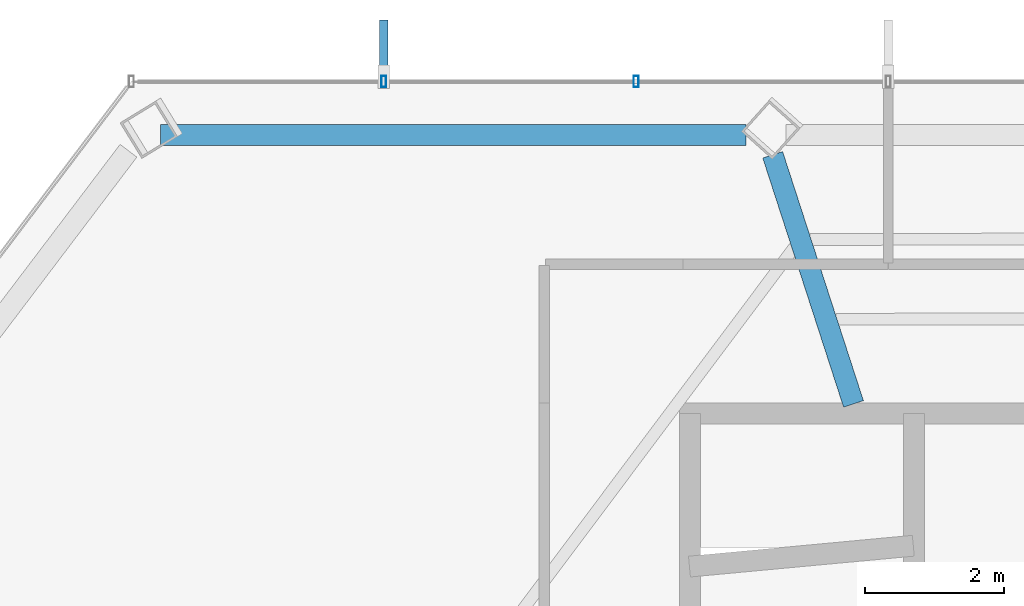
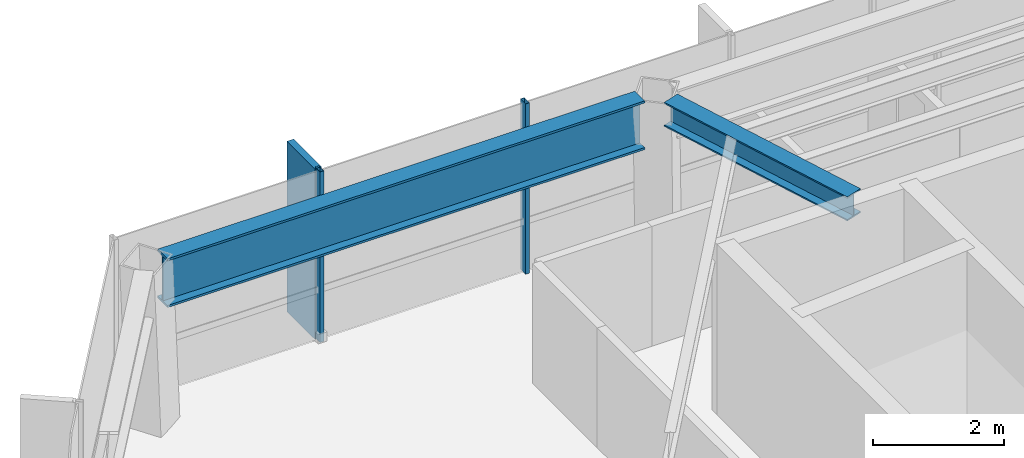
# One storey, part 13 of 27: 3 members, 2 beams, 1 element without a shape of its own.
"""IFC4 building model written with IfcOpenShell, lengths in metres."""

from ifc_helpers import new_model, si_unit, direction, frame, origin, origin_2d, place, context, subcontext, project, spatial, rectangle, hollow_rectangle, i_section, extrude, material, layer, layer_set, material_profile, profile_set, type_object, element, aggregate, save


model = new_model("IFC4")

# Units and contexts
model_context = context("Model", 3, precision=1e-05, world=origin(), true_north=direction((0.0, 1.0)))
body_context = subcontext(model_context, "Body", "Model", "MODEL_VIEW")
ifc_project = project(units=[si_unit("LENGTHUNIT", "METRE"), si_unit("AREAUNIT", "SQUARE_METRE"), si_unit("VOLUMEUNIT", "CUBIC_METRE"), si_unit("PLANEANGLEUNIT", "RADIAN"), si_unit("MASSUNIT", "GRAM", prefix="KILO")], contexts=[model_context])

# Site, building, storey
site_placement = place(None, origin())
site = spatial("IfcSite", under=ifc_project, at=site_placement, CompositionType="ELEMENT")
building_placement = place(site_placement, origin())
building = spatial("IfcBuilding", under=site, at=building_placement, Name="Zarrinselat Tower", CompositionType="ELEMENT")
storey_placement = place(building_placement, frame((0.0, 0.0, 235.9599609375)))
storey = spatial("IfcBuildingStorey", under=building, at=storey_placement, Name="L59", CompositionType="ELEMENT", Elevation=235.9599609375)

# Beams
ifc_material_1 = material(Name="Steel S355J2", Category="steel")
ifc_material_profile_1 = material_profile(ifc_material_1, i_section(OverallWidth=0.300048828125, OverallDepth=0.449951171875, WebThickness=0.013916015625, FlangeThickness=0.02587890625, at=origin_2d()), Name="HEB 450")
ifc_profile_set_1 = profile_set([ifc_material_profile_1], Name="Steel S355J2")
beam_type_1 = type_object("IfcBeamType", Name="BM-HEB450", PredefinedType="BEAM", material=ifc_profile_set_1)
beam_1_placement = place(storey_placement, frame((29.83740234375, 47.123779296875, 2.955078125), z_axis=(0.308577591776, -0.951199174649, 0.0), x_axis=(0.951199174649, 0.308577591776, 0.0)))
element("IfcBeam", 1, at=beam_1_placement, inside=storey, type_object=beam_type_1, Name="L59 Radial Primary Girder RG04", PredefinedType="BEAM", context=body_context, shape_type="SweptSolid", body=[
    extrude(i_section(OverallWidth=0.300048828125, OverallDepth=0.449951171875, WebThickness=0.013916015625, FlangeThickness=0.02587890625, at=origin_2d()), origin(), (0.0, 0.0, 1.0), 3.767578125),
])
ifc_material_2 = material(Name="Steel S460M", Category="steel")
ifc_material_profile_2 = material_profile(ifc_material_2, i_section(OverallWidth=0.302001953125, OverallDepth=0.909912109375, WebThickness=0.02099609375, FlangeThickness=0.0400390625, at=origin_2d()), Name="HEM 900")
ifc_profile_set_2 = profile_set([ifc_material_profile_2], Name="Steel S460M")
beam_type_2 = type_object("IfcBeamType", Name="BM-HEM900", PredefinedType="BEAM", material=ifc_profile_set_2)
beam_2_placement = place(storey_placement, frame((21.031982421875, 47.4111328125, 2.72509765625), z_axis=(1.0, 0.0, 0.0), x_axis=(0.0, 1.0, 0.0)))
element("IfcBeam", 2, at=beam_2_placement, inside=storey, type_object=beam_type_2, Name="L59 Perimeter Spandrel Girder SP04", PredefinedType="BEAM", context=body_context, shape_type="SweptSolid", body=[
    extrude(i_section(OverallWidth=0.302001953125, OverallDepth=0.909912109375, WebThickness=0.02099609375, FlangeThickness=0.0400390625, at=origin_2d()), origin(), (0.0, 0.0, 1.0), 8.42431640625),
])

# Curtain wall, members
ifc_material_3 = material(Name="Extruded Aluminium Alloy EN AW-6063 T6", Category="aluminium")
ifc_layer = layer(ifc_material_3, 0.169921875)
ifc_layer_set = layer_set([ifc_layer], Name="Extruded Aluminium Alloy EN AW-6063 T6")
curtain_wall_type = type_object("IfcCurtainWallType", Name="CWS-RES", PredefinedType="NOTDEFINED", material=ifc_layer_set)
curtain_wall_placement = place(storey_placement, origin())
curtain_wall = element("IfcCurtainWall", 3, at=curtain_wall_placement, inside=storey, type_object=curtain_wall_type, Name="L59 Unitised Curtain Wall CW-L59-E01", PredefinedType="NOTDEFINED")
ifc_material_4 = material(Name="Extruded Aluminium Alloy EN AW-6063 T6", Category="aluminium")
ifc_material_profile_3 = material_profile(ifc_material_4, hollow_rectangle(XDim=0.070068359375, YDim=0.159912109375, WallThickness=0.00390625, at=origin_2d()), Name="RHS 160x70x4")
ifc_profile_set_3 = profile_set([ifc_material_profile_3], Name="Extruded Aluminium Alloy EN AW-6063 T6")
member_type_1 = type_object("IfcMemberType", Name="MEM-CW-MUL2", PredefinedType="MULLION", material=ifc_profile_set_3)
member_1_placement = place(storey_placement, frame((27.872314453125, 48.177734375, 0.0), z_axis=(0.0, 0.0, 1.0), x_axis=(-1.0, 0.0, 0.0)))
member_1 = element("IfcMember", 4, at=member_1_placement, type_object=member_type_1, Name="CW-L59-E01 Mullion 10", PredefinedType="MULLION", context=body_context, shape_type="SweptSolid", body=[
    extrude(hollow_rectangle(XDim=0.070068359375, YDim=0.159912109375, WallThickness=0.00390625, at=origin_2d()), origin(), (0.0, 0.0, 1.0), 3.179931640625),
])
member_2_placement = place(storey_placement, frame((24.241943359375, 48.177734375, 0.0), z_axis=(0.0, 0.0, 1.0), x_axis=(-1.0, 0.0, 0.0)))
member_2 = element("IfcMember", 5, at=member_2_placement, type_object=member_type_1, Name="CW-L59-E01 Mullion 11", PredefinedType="MULLION", context=body_context, shape_type="SweptSolid", body=[
    extrude(hollow_rectangle(XDim=0.070068359375, YDim=0.159912109375, WallThickness=0.00390625, at=origin_2d()), origin(), (0.0, 0.0, 1.0), 3.179931640625),
])
ifc_material_5 = material(Name="Honed Cream Travertine Stone", Category="masonry")
ifc_material_profile_4 = material_profile(ifc_material_5, rectangle(XDim=0.1201171875, YDim=0.85009765625, at=origin_2d()), Name="FIN 850x120")
ifc_profile_set_4 = profile_set([ifc_material_profile_4], Name="Honed Cream Travertine Stone")
member_type_2 = type_object("IfcMemberType", Name="MEM-STONE-FIN", PredefinedType="USERDEFINED", material=ifc_profile_set_4)
member_3_placement = place(storey_placement, frame((24.241943359375, 48.6376953125, 0.0), z_axis=(0.0, 0.0, 1.0), x_axis=(1.0, 0.0, 0.0)))
member_3 = element("IfcMember", 6, at=member_3_placement, type_object=member_type_2, Name="L59 Stone Shading Fin CW-L59-E01-11", ObjectType="FIN", PredefinedType="USERDEFINED", context=body_context, shape_type="SweptSolid", body=[
    extrude(rectangle(XDim=0.1201171875, YDim=0.85009765625, at=origin_2d()), origin(), (0.0, 0.0, 1.0), 3.179931640625),
])
aggregate(curtain_wall, [member_1, member_2, member_3])

save(model, "model.ifc")
